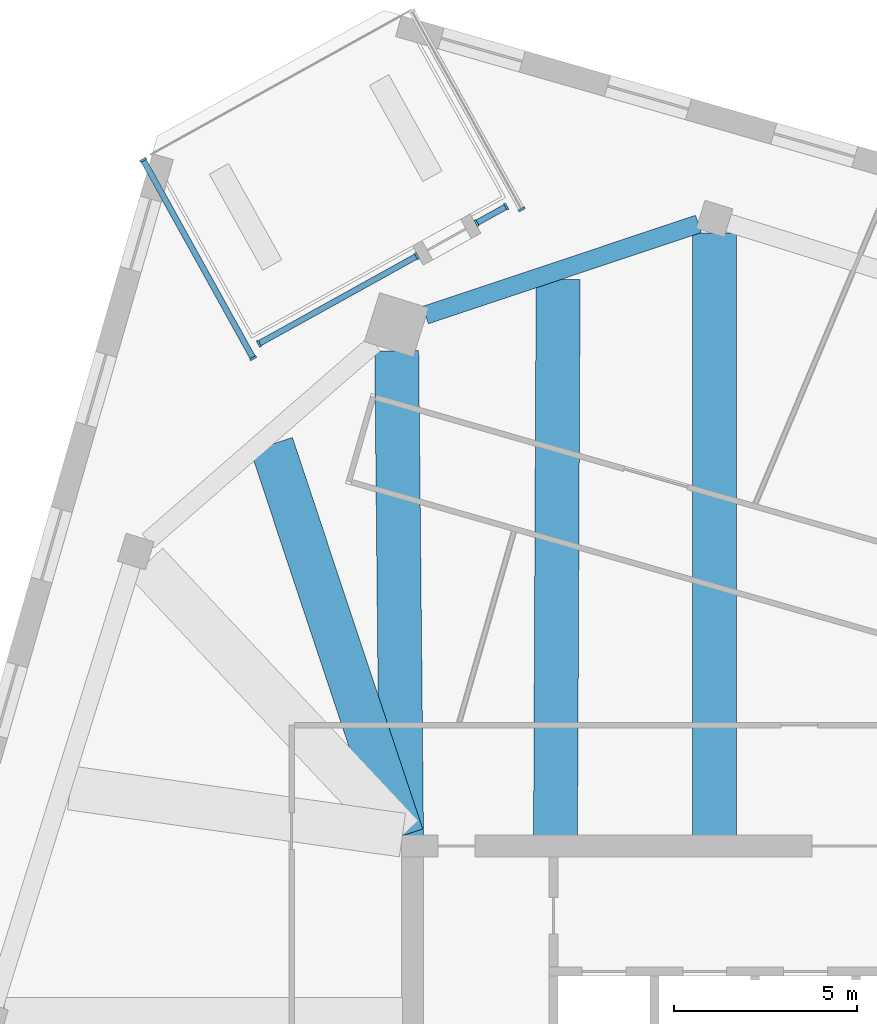
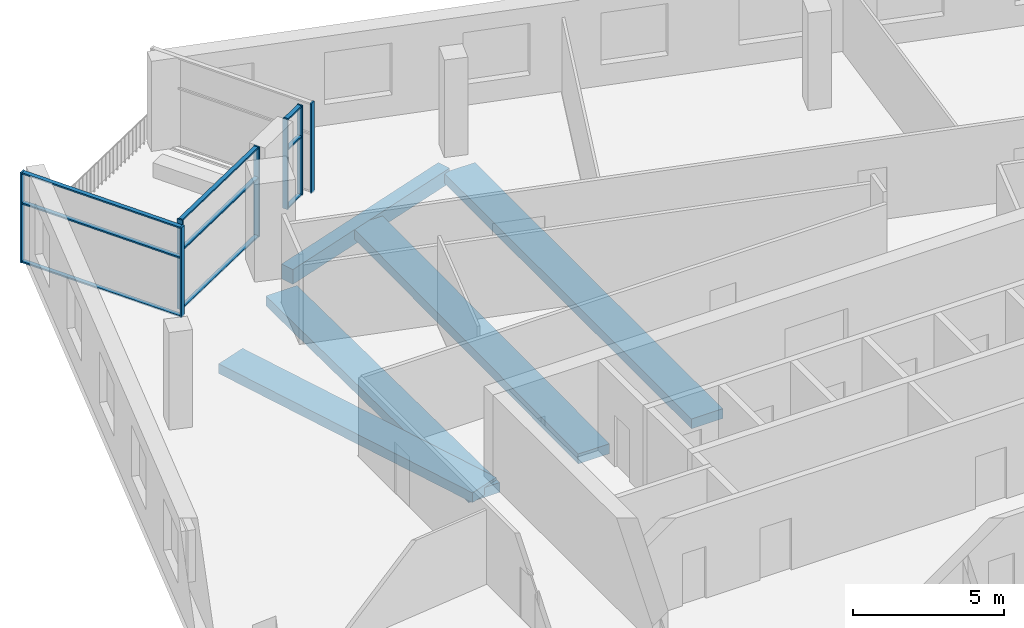
# One storey, part 2 of 15: 16 members, 5 beams, 4 elements without a shape of their own.
"""IFC4 building model written with IfcOpenShell, lengths in metres."""

import ifcopenshell
import ifcopenshell.guid

model = None  # the IFC model being written
_history = None  # IfcOwnerHistory: only IFC2X3 demands one
_inside = {}  # id of a spatial element -> (the spatial element, [elements in it])
_under = {}  # id of a project, library or spatial element -> (it, [spatial elements below it])
_declared = {}  # id of a project -> (the project, [libraries it declares])
_typed = {}  # id of a type object -> (the type object, [elements of that type])
_made_of = {}  # id of a material, layer set ... -> (it, [elements and type objects made of it])


def new_model(schema):
    """Start an empty IFC model of exactly this schema.

    Asked for "IFC4X3", IfcOpenShell would pick the latest addendum, in which some entities
    have other attributes; the version numbers below select the first issue.
    IFC2X3 requires an IfcOwnerHistory on every rooted entity: one is made here for all.
    """
    global model, _history
    if schema == "IFC4X3":
        model = ifcopenshell.file(schema_version=(4, 3, 0, 0))
    else:
        model = ifcopenshell.file(schema=schema)
    _inside.clear()
    _under.clear()
    _declared.clear()
    _typed.clear()
    _made_of.clear()
    _history = None
    if model.schema == "IFC2X3":
        org = make("IfcOrganization", Name="unknown")
        user = make(
            "IfcPersonAndOrganization",
            ThePerson=make("IfcPerson", FamilyName="unknown"),
            TheOrganization=org,
        )
        app = make(
            "IfcApplication",
            ApplicationDeveloper=org,
            Version="unknown",
            ApplicationFullName="unknown",
            ApplicationIdentifier="unknown",
        )
        _history = make(
            "IfcOwnerHistory",
            OwningUser=user,
            OwningApplication=app,
            ChangeAction="ADDED",
            CreationDate=0,
        )
    return model


def make(cls, **values):
    """One entity of the class cls with the attributes given. An attribute that is None is left unset."""
    return model.create_entity(
        cls, **{name: value for name, value in values.items() if value is not None}
    )


def rooted(cls, **values):
    """An entity with a GlobalId (a new one), such as an element, a storey or a relation."""
    return make(cls, GlobalId=ifcopenshell.guid.new(), OwnerHistory=_history, **values)


def si_unit(unit_type, name, prefix=None):
    """IfcSIUnit, for example si_unit("LENGTHUNIT", "METRE", prefix="MILLI")."""
    return make("IfcSIUnit", UnitType=unit_type, Prefix=prefix, Name=name)


def assignment(units):
    """IfcUnitAssignment: the units of a project."""
    return None if units is None else make("IfcUnitAssignment", Units=units)


def point(xyz):
    """IfcCartesianPoint."""
    return None if xyz is None else make("IfcCartesianPoint", Coordinates=xyz)


def direction(xyz):
    """IfcDirection."""
    return None if xyz is None else make("IfcDirection", DirectionRatios=xyz)


def frame(location, z_axis=None, x_axis=None):
    """IfcAxis2Placement3D, a coordinate frame: its origin and axes. An axis left out is left unset."""
    return make(
        "IfcAxis2Placement3D",
        Location=point(location),
        Axis=direction(z_axis),
        RefDirection=direction(x_axis),
    )


def frame_2d(location, x_axis=None):
    """IfcAxis2Placement2D, a coordinate frame in the plane: its origin and x axis."""
    return make(
        "IfcAxis2Placement2D", Location=point(location), RefDirection=direction(x_axis)
    )


def origin():
    """The frame at (0, 0, 0) with its axes left unset."""
    return frame((0.0, 0.0, 0.0))


def origin_2d():
    """The frame at (0, 0) in the plane with its x axis left unset."""
    return frame_2d((0.0, 0.0))


def place(relative_to, where):
    """IfcLocalPlacement: puts the frame where relative to a parent placement (None: the world)."""
    return make(
        "IfcLocalPlacement", PlacementRelTo=relative_to, RelativePlacement=where
    )


def context(
    kind, dimensions, precision=None, world=None, true_north=None, identifier=None
):
    """IfcGeometricRepresentationContext, for example the 3D "Model" context."""
    return make(
        "IfcGeometricRepresentationContext",
        ContextIdentifier=identifier,
        ContextType=kind,
        CoordinateSpaceDimension=dimensions,
        Precision=precision,
        WorldCoordinateSystem=world,
        TrueNorth=true_north,
    )


def subcontext(parent, identifier, kind, view, scale=None):
    """IfcGeometricRepresentationSubContext, for example "Body" below "Model"."""
    return make(
        "IfcGeometricRepresentationSubContext",
        ContextIdentifier=identifier,
        ContextType=kind,
        ParentContext=parent,
        TargetScale=scale,
        TargetView=view,
    )


def project(units=None, contexts=None):
    """IfcProject with its units and contexts."""
    return rooted(
        "IfcProject",
        Name="project",
        RepresentationContexts=contexts,
        UnitsInContext=assignment(units),
    )


def spatial(cls, under=None, at=None, **own):
    """A site, building, storey or space (cls), placed at a placement, below another one or the project."""
    s = rooted(cls, ObjectPlacement=at, **own)
    if under is not None:
        _under.setdefault(under.id(), (under, []))[1].append(s)
    return s


def profile(cls, at=None, kind="AREA", **sizes):
    """A parametric profile (cls). Its sizes go by their IFC names, for example OverallWidth=200.0."""
    return make(cls, ProfileType=kind, Position=at, **sizes)


def rectangle(**sizes):
    """IfcRectangleProfileDef."""
    return profile("IfcRectangleProfileDef", **sizes)


def extrude(swept, where, along, depth):
    """IfcExtrudedAreaSolid: the profile swept, set in the frame where, extruded along a direction by depth."""
    return make(
        "IfcExtrudedAreaSolid",
        SweptArea=swept,
        Position=where,
        ExtrudedDirection=direction(along),
        Depth=depth,
    )


def shape(context_of_items, identifier, shape_type, items):
    """IfcShapeRepresentation: the items that make up one representation, for example the "Body"."""
    return make(
        "IfcShapeRepresentation",
        ContextOfItems=context_of_items,
        RepresentationIdentifier=identifier,
        RepresentationType=shape_type,
        Items=items,
    )


def material(Name=None, Category=None):
    """IfcMaterial."""
    return make("IfcMaterial", Name=Name, Category=Category)


def material_profile(
    of_material, cross_section, Name=None, Category=None, Priority=None
):
    """IfcMaterialProfile: a cross section and its material."""
    return make(
        "IfcMaterialProfile",
        Name=Name,
        Material=of_material,
        Profile=cross_section,
        Priority=Priority,
        Category=Category,
    )


def profile_set(profiles, Name=None, composite=None):
    """IfcMaterialProfileSet."""
    return make(
        "IfcMaterialProfileSet",
        Name=Name,
        MaterialProfiles=profiles,
        CompositeProfile=composite,
    )


def made_of(thing, what):
    """Note that an element or type object is made of a material, layer set ...; save() writes the relation."""
    if what is not None:
        _made_of.setdefault(what.id(), (what, []))[1].append(thing)
    return thing


def type_object(cls, material=None, **own):
    """A type object (cls), such as IfcWallType, which elements share."""
    return made_of(rooted(cls, **own), material)


def element(
    cls,
    number,
    at=None,
    inside=None,
    cuts=None,
    type_object=None,
    material=None,
    context=None,
    identifier="Body",
    shape_type=None,
    held_by="IfcProductDefinitionShape",
    body=None,
    shapes=None,
    **own,
):
    """One element of the class cls, such as IfcWall. Its Tag is "e" and its number.

    at: its placement. inside: the storey or other place that contains it. cuts: it is an
    opening in that element (IfcRelVoidsElement). A single representation is given by context,
    identifier, shape_type and body (its items); several are given by shapes. held_by: the class
    of the entity that holds the representations. save() writes the other relations.
    """
    e = rooted(cls, Tag="e%d" % number, ObjectPlacement=at, **own)
    if body is not None:
        shapes = [shape(context, identifier, shape_type, body)]
    if shapes is not None:
        e.Representation = make(held_by, Representations=shapes)
    if inside is not None:
        _inside.setdefault(inside.id(), (inside, []))[1].append(e)
    if cuts is not None:
        rooted(
            "IfcRelVoidsElement", RelatingBuildingElement=cuts, RelatedOpeningElement=e
        )
    if type_object is not None:
        _typed.setdefault(type_object.id(), (type_object, []))[1].append(e)
    return made_of(e, material)


def aggregate(whole, parts):
    """IfcRelAggregates: a whole, such as a stair, and the parts it consists of."""
    return rooted("IfcRelAggregates", RelatingObject=whole, RelatedObjects=parts)


def save(model, path):
    """Write the relations noted so far, then the file.

    IfcRelAggregates (storeys below a building ...), IfcRelContainedInSpatialStructure (elements
    in a storey), IfcRelDefinesByType, IfcRelAssociatesMaterial and IfcRelDeclares: one each for
    every whole, place, type object, material and project.
    """
    for whole, parts in _under.values():
        aggregate(whole, parts)
    for where, things in _inside.values():
        rooted(
            "IfcRelContainedInSpatialStructure",
            RelatedElements=things,
            RelatingStructure=where,
        )
    for kind, things in _typed.values():
        rooted("IfcRelDefinesByType", RelatedObjects=things, RelatingType=kind)
    for what, things in _made_of.values():
        rooted("IfcRelAssociatesMaterial", RelatedObjects=things, RelatingMaterial=what)
    for by, libraries in _declared.values():
        rooted("IfcRelDeclares", RelatingContext=by, RelatedDefinitions=libraries)
    model.write(path)


model = new_model("IFC4")

# Units and contexts
model_context = context("Model", 3, precision=1e-05, world=origin(), true_north=direction((0.0, 1.0)))
body_context = subcontext(model_context, "Body", "Model", "MODEL_VIEW")
ifc_project = project(units=[si_unit("LENGTHUNIT", "METRE"), si_unit("AREAUNIT", "SQUARE_METRE"), si_unit("VOLUMEUNIT", "CUBIC_METRE"), si_unit("PLANEANGLEUNIT", "RADIAN"), si_unit("MASSUNIT", "GRAM", prefix="KILO")], contexts=[model_context])

# Site, building, storey
site_placement = place(None, origin())
site = spatial("IfcSite", under=ifc_project, at=site_placement, CompositionType="ELEMENT")
building_placement = place(site_placement, origin())
building = spatial("IfcBuilding", under=site, at=building_placement, Name="Dilmun Exchange Tower", CompositionType="ELEMENT")
storey_placement = place(building_placement, frame((0.0, 0.0, 328.5)))
storey = spatial("IfcBuildingStorey", under=building, at=storey_placement, Name="L78", CompositionType="ELEMENT", Elevation=328.5)

# Curtain wall, member
ifc_material_1 = material(Name="Anodised aluminium and clear glass", Category="aluminium")
curtain_wall_type = type_object("IfcCurtainWallType", Name="Garden corner glazing", PredefinedType="NOTDEFINED", material=ifc_material_1)
curtain_wall_1_placement = place(storey_placement, origin())
curtain_wall_1 = element("IfcCurtainWall", 1, at=curtain_wall_1_placement, inside=storey, type_object=curtain_wall_type, Name="Garden corner glazing run GC1.1", PredefinedType="NOTDEFINED")
ifc_material_2 = material(Name="Anodised aluminium", Category="aluminium")
ifc_material_profile_1 = material_profile(ifc_material_2, rectangle(XDim=0.199951171875, YDim=0.06005859375, at=origin_2d()), Name="AL 60x200")
ifc_profile_set_1 = profile_set([ifc_material_profile_1], Name="Anodised aluminium")
member_type_1 = type_object("IfcMemberType", Name="Garden corner glazing mullion 60 x 200", PredefinedType="MULLION", material=ifc_profile_set_1)
member_1_placement = place(storey_placement, frame((-9.121826171875, 29.472412109375, 0.0), z_axis=(0.0, 0.0, 1.0), x_axis=(0.87462355202, 0.484802683833, 0.0)))
member_1 = element("IfcMember", 2, at=member_1_placement, type_object=member_type_1, Name="GC1.1 mullion 2", PredefinedType="MULLION", context=body_context, shape_type="SweptSolid", body=[
    extrude(rectangle(XDim=0.199951171875, YDim=0.06005859375, at=origin_2d()), origin(), (0.0, 0.0, 1.0), 3.64990234375),
])
aggregate(curtain_wall_1, [member_1])

# Curtain wall, members
curtain_wall_2_placement = place(storey_placement, origin())
curtain_wall_2 = element("IfcCurtainWall", 3, at=curtain_wall_2_placement, inside=storey, type_object=curtain_wall_type, Name="Garden corner glazing run GC2.1", PredefinedType="NOTDEFINED")
member_2_placement = place(storey_placement, frame((-9.541259765625, 29.548583984375, 0.0), z_axis=(0.0, 0.0, 1.0), x_axis=(0.484784283481, -0.874633751058, 0.0)))
member_2 = element("IfcMember", 4, at=member_2_placement, type_object=member_type_1, Name="GC2.1 mullion 1", PredefinedType="MULLION", context=body_context, shape_type="SweptSolid", body=[
    extrude(rectangle(XDim=0.199951171875, YDim=0.06005859375, at=origin_2d()), origin(), (0.0, 0.0, 1.0), 3.64990234375),
])
member_3_placement = place(storey_placement, frame((-10.35400390625, 29.09814453125, 0.0), z_axis=(0.0, 0.0, 1.0), x_axis=(0.484784283481, -0.874633751058, 0.0)))
member_3 = element("IfcMember", 5, at=member_3_placement, type_object=member_type_1, Name="GC2.1 mullion 2", PredefinedType="MULLION", context=body_context, shape_type="SweptSolid", body=[
    extrude(rectangle(XDim=0.199951171875, YDim=0.06005859375, at=origin_2d()), origin(), (0.0, 0.0, 1.0), 3.64990234375),
])

curtain_wall_3_placement = place(storey_placement, origin())
curtain_wall_3 = element("IfcCurtainWall", 6, at=curtain_wall_3_placement, inside=storey, type_object=curtain_wall_type, Name="Garden corner glazing run GC2.3", PredefinedType="NOTDEFINED")
member_4_placement = place(storey_placement, frame((-11.980712890625, 28.196533203125, 0.0), z_axis=(0.0, 0.0, 1.0), x_axis=(0.484812230299, -0.874618260359, 0.0)))
member_4 = element("IfcMember", 7, at=member_4_placement, type_object=member_type_1, Name="GC2.3 mullion 1", PredefinedType="MULLION", context=body_context, shape_type="SweptSolid", body=[
    extrude(rectangle(XDim=0.199951171875, YDim=0.06005859375, at=origin_2d()), origin(), (0.0, 0.0, 1.0), 3.64990234375),
])
member_5_placement = place(storey_placement, frame((-16.291748046875, 25.806640625, 0.0), z_axis=(0.0, 0.0, 1.0), x_axis=(0.484812230299, -0.874618260359, 0.0)))
member_5 = element("IfcMember", 8, at=member_5_placement, type_object=member_type_1, Name="GC2.3 mullion 2", PredefinedType="MULLION", context=body_context, shape_type="SweptSolid", body=[
    extrude(rectangle(XDim=0.199951171875, YDim=0.06005859375, at=origin_2d()), origin(), (0.0, 0.0, 1.0), 3.64990234375),
])

curtain_wall_4_placement = place(storey_placement, origin())
curtain_wall_4 = element("IfcCurtainWall", 9, at=curtain_wall_4_placement, inside=storey, type_object=curtain_wall_type, Name="Garden corner glazing run GC3.1", PredefinedType="NOTDEFINED")
member_6_placement = place(storey_placement, frame((-16.449462890625, 25.41064453125, 0.0), z_axis=(0.0, 0.0, 1.0), x_axis=(-0.87462355202, -0.484802683833, 0.0)))
member_6 = element("IfcMember", 10, at=member_6_placement, type_object=member_type_1, Name="GC3.1 mullion 1", PredefinedType="MULLION", context=body_context, shape_type="SweptSolid", body=[
    extrude(rectangle(XDim=0.199951171875, YDim=0.06005859375, at=origin_2d()), origin(), (0.0, 0.0, 1.0), 3.64990234375),
])
member_7_placement = place(storey_placement, frame((-19.44873046875, 30.821533203125, 0.0), z_axis=(0.0, 0.0, 1.0), x_axis=(-0.87462355202, -0.484802683833, 0.0)))
member_7 = element("IfcMember", 11, at=member_7_placement, type_object=member_type_1, Name="GC3.1 mullion 2", PredefinedType="MULLION", context=body_context, shape_type="SweptSolid", body=[
    extrude(rectangle(XDim=0.199951171875, YDim=0.06005859375, at=origin_2d()), origin(), (0.0, 0.0, 1.0), 3.64990234375),
])

# Member
ifc_material_profile_2 = material_profile(ifc_material_2, rectangle(XDim=0.159912109375, YDim=0.06005859375, at=origin_2d()), Name="AL 60x160")
ifc_profile_set_2 = profile_set([ifc_material_profile_2], Name="Anodised aluminium")
member_type_2 = type_object("IfcMemberType", Name="Garden corner glazing transom 60 x 160", PredefinedType="USERDEFINED", material=ifc_profile_set_2)
member_8_placement = place(storey_placement, frame((-9.567626953125, 29.5341796875, 0.030029296875), z_axis=(-0.874567772585, -0.484903300829, 0.0), x_axis=(0.484903300829, -0.874567772585, 0.0)))
member_8 = element("IfcMember", 12, at=member_8_placement, type_object=member_type_2, Name="GC2.1 transom 1.1", ObjectType="TRANSOM", PredefinedType="USERDEFINED", context=body_context, shape_type="SweptSolid", body=[
    extrude(rectangle(XDim=0.159912109375, YDim=0.06005859375, at=origin_2d()), origin(), (0.0, 0.0, 1.0), 0.868896484375),
])

member_9_placement = place(storey_placement, frame((-9.567626953125, 29.5341796875, 2.39990234375), z_axis=(-0.874567772585, -0.484903300829, 0.0), x_axis=(0.484903300829, -0.874567772585, 0.0)))
member_9 = element("IfcMember", 13, at=member_9_placement, type_object=member_type_2, Name="GC2.1 transom 1.2", ObjectType="TRANSOM", PredefinedType="USERDEFINED", context=body_context, shape_type="SweptSolid", body=[
    extrude(rectangle(XDim=0.159912109375, YDim=0.06005859375, at=origin_2d()), origin(), (0.0, 0.0, 1.0), 0.868896484375),
])

member_10_placement = place(storey_placement, frame((-9.567626953125, 29.5341796875, 3.6201171875), z_axis=(-0.874567772585, -0.484903300829, 0.0), x_axis=(0.484903300829, -0.874567772585, 0.0)))
member_10 = element("IfcMember", 14, at=member_10_placement, type_object=member_type_2, Name="GC2.1 transom 1.3", ObjectType="TRANSOM", PredefinedType="USERDEFINED", context=body_context, shape_type="SweptSolid", body=[
    extrude(rectangle(XDim=0.159912109375, YDim=0.06005859375, at=origin_2d()), origin(), (0.0, 0.0, 1.0), 0.868896484375),
])

aggregate(curtain_wall_2, [member_2, member_3, member_8, member_9, member_10])

member_11_placement = place(storey_placement, frame((-12.007080078125, 28.181884765625, 0.030029296875), z_axis=(-0.874615726694, -0.48481680109, 0.0), x_axis=(0.48481680109, -0.874615726694, 0.0)))
member_11 = element("IfcMember", 15, at=member_11_placement, type_object=member_type_2, Name="GC2.3 transom 1.1", ObjectType="TRANSOM", PredefinedType="USERDEFINED", context=body_context, shape_type="SweptSolid", body=[
    extrude(rectangle(XDim=0.159912109375, YDim=0.06005859375, at=origin_2d()), origin(), (0.0, 0.0, 1.0), 4.869140625),
])

member_12_placement = place(storey_placement, frame((-12.007080078125, 28.181884765625, 2.39990234375), z_axis=(-0.874615726694, -0.48481680109, 0.0), x_axis=(0.48481680109, -0.874615726694, 0.0)))
member_12 = element("IfcMember", 16, at=member_12_placement, type_object=member_type_2, Name="GC2.3 transom 1.2", ObjectType="TRANSOM", PredefinedType="USERDEFINED", context=body_context, shape_type="SweptSolid", body=[
    extrude(rectangle(XDim=0.159912109375, YDim=0.06005859375, at=origin_2d()), origin(), (0.0, 0.0, 1.0), 4.869140625),
])

member_13_placement = place(storey_placement, frame((-12.007080078125, 28.181884765625, 3.6201171875), z_axis=(-0.874615726694, -0.48481680109, 0.0), x_axis=(0.48481680109, -0.874615726694, 0.0)))
member_13 = element("IfcMember", 17, at=member_13_placement, type_object=member_type_2, Name="GC2.3 transom 1.3", ObjectType="TRANSOM", PredefinedType="USERDEFINED", context=body_context, shape_type="SweptSolid", body=[
    extrude(rectangle(XDim=0.159912109375, YDim=0.06005859375, at=origin_2d()), origin(), (0.0, 0.0, 1.0), 4.869140625),
])

aggregate(curtain_wall_3, [member_4, member_5, member_11, member_12, member_13])

member_14_placement = place(storey_placement, frame((-16.464111328125, 25.436767578125, 0.030029296875), z_axis=(-0.484810380462, 0.874619285745, 0.0), x_axis=(-0.874619285745, -0.484810380462, 0.0)))
member_14 = element("IfcMember", 18, at=member_14_placement, type_object=member_type_2, Name="GC3.1 transom 1.1", ObjectType="TRANSOM", PredefinedType="USERDEFINED", context=body_context, shape_type="SweptSolid", body=[
    extrude(rectangle(XDim=0.159912109375, YDim=0.06005859375, at=origin_2d()), origin(), (0.0, 0.0, 1.0), 6.12646484375),
])

member_15_placement = place(storey_placement, frame((-16.464111328125, 25.436767578125, 2.39990234375), z_axis=(-0.484810380462, 0.874619285745, 0.0), x_axis=(-0.874619285745, -0.484810380462, 0.0)))
member_15 = element("IfcMember", 19, at=member_15_placement, type_object=member_type_2, Name="GC3.1 transom 1.2", ObjectType="TRANSOM", PredefinedType="USERDEFINED", context=body_context, shape_type="SweptSolid", body=[
    extrude(rectangle(XDim=0.159912109375, YDim=0.06005859375, at=origin_2d()), origin(), (0.0, 0.0, 1.0), 6.12646484375),
])

member_16_placement = place(storey_placement, frame((-16.464111328125, 25.436767578125, 3.6201171875), z_axis=(-0.484810380462, 0.874619285745, 0.0), x_axis=(-0.874619285745, -0.484810380462, 0.0)))
member_16 = element("IfcMember", 20, at=member_16_placement, type_object=member_type_2, Name="GC3.1 transom 1.3", ObjectType="TRANSOM", PredefinedType="USERDEFINED", context=body_context, shape_type="SweptSolid", body=[
    extrude(rectangle(XDim=0.159912109375, YDim=0.06005859375, at=origin_2d()), origin(), (0.0, 0.0, 1.0), 6.12646484375),
])

aggregate(curtain_wall_4, [member_6, member_7, member_14, member_15, member_16])

# Beams
ifc_material_3 = material(Name="Concrete C40/50", Category="concrete")
ifc_material_profile_3 = material_profile(ifc_material_3, rectangle(XDim=1.199951171875, YDim=0.39990234375, at=origin_2d()), Name="1200 x 400")
ifc_profile_set_3 = profile_set([ifc_material_profile_3], Name="Concrete C40/50")
beam_type_1 = type_object("IfcBeamType", Name="RC band beam 1200 x 400 C40/50", PredefinedType="BEAM", material=ifc_profile_set_3)
beam_1_placement = place(storey_placement, frame((-12.530029296875, 25.613525390625, -0.64990234375), z_axis=(0.009845926203, -0.999951527694, 0.0), x_axis=(0.999951527694, 0.009845926203, 0.0)))
element("IfcBeam", 21, at=beam_1_placement, inside=storey, type_object=beam_type_1, Name="Band beam 1", PredefinedType="BEAM", context=body_context, shape_type="SweptSolid", body=[
    extrude(rectangle(XDim=1.199951171875, YDim=0.39990234375, at=origin_2d()), origin(), (0.0, 0.0, 1.0), 13.2412109375),
])
beam_2_placement = place(storey_placement, frame((-3.85595703125, 28.827880859375, -0.64990234375), z_axis=(0.0, -1.0, 0.0), x_axis=(1.0, 0.0, 0.0)))
element("IfcBeam", 22, at=beam_2_placement, inside=storey, type_object=beam_type_1, Name="Band beam 16", PredefinedType="BEAM", context=body_context, shape_type="SweptSolid", body=[
    extrude(rectangle(XDim=1.199951171875, YDim=0.39990234375, at=origin_2d()), origin(), (0.0, 0.0, 1.0), 16.454833984375),
])
beam_3_placement = place(storey_placement, frame((-15.947021484375, 23.059326171875, -0.550048828125), z_axis=(0.315752926282, -0.948841445946, 0.0), x_axis=(0.948841445946, 0.315752926282, 0.0)))
element("IfcBeam", 23, at=beam_3_placement, inside=storey, type_object=beam_type_1, Name="Band beam 17", PredefinedType="BEAM", context=body_context, shape_type="SweptSolid", body=[
    extrude(rectangle(XDim=1.199951171875, YDim=0.39990234375, at=origin_2d()), origin(), (0.0, 0.0, 1.0), 11.260986328125),
])
beam_4_placement = place(storey_placement, frame((-8.1259765625, 27.5595703125, -0.550048828125), z_axis=(-0.00464595333, -0.999989207501, 0.0), x_axis=(0.999989207501, -0.00464595333, 0.0)))
element("IfcBeam", 24, at=beam_4_placement, inside=storey, type_object=beam_type_1, Name="Band beam 32", PredefinedType="BEAM", context=body_context, shape_type="SweptSolid", body=[
    extrude(rectangle(XDim=1.199951171875, YDim=0.39990234375, at=origin_2d()), origin(), (0.0, 0.0, 1.0), 15.186767578125),
])
ifc_material_profile_4 = material_profile(ifc_material_3, rectangle(XDim=0.5, YDim=0.60009765625, at=origin_2d()), Name="500 x 600")
ifc_profile_set_4 = profile_set([ifc_material_profile_4], Name="Concrete C40/50")
beam_type_2 = type_object("IfcBeamType", Name="RC ring beam 500 x 600 C40/50", PredefinedType="SPANDREL", material=ifc_profile_set_4)
beam_5_placement = place(storey_placement, frame((-4.298095703125, 29.072509765625, -0.64990234375), z_axis=(-0.94854014246, -0.316656909198, 0.0), x_axis=(0.316656909198, -0.94854014246, 0.0)))
element("IfcBeam", 25, at=beam_5_placement, inside=storey, type_object=beam_type_2, Name="Ring beam 16", PredefinedType="SPANDREL", context=body_context, shape_type="SweptSolid", body=[
    extrude(rectangle(XDim=0.5, YDim=0.60009765625, at=origin_2d()), origin(), (0.0, 0.0, 1.0), 7.850341796875),
])

save(model, "model.ifc")
